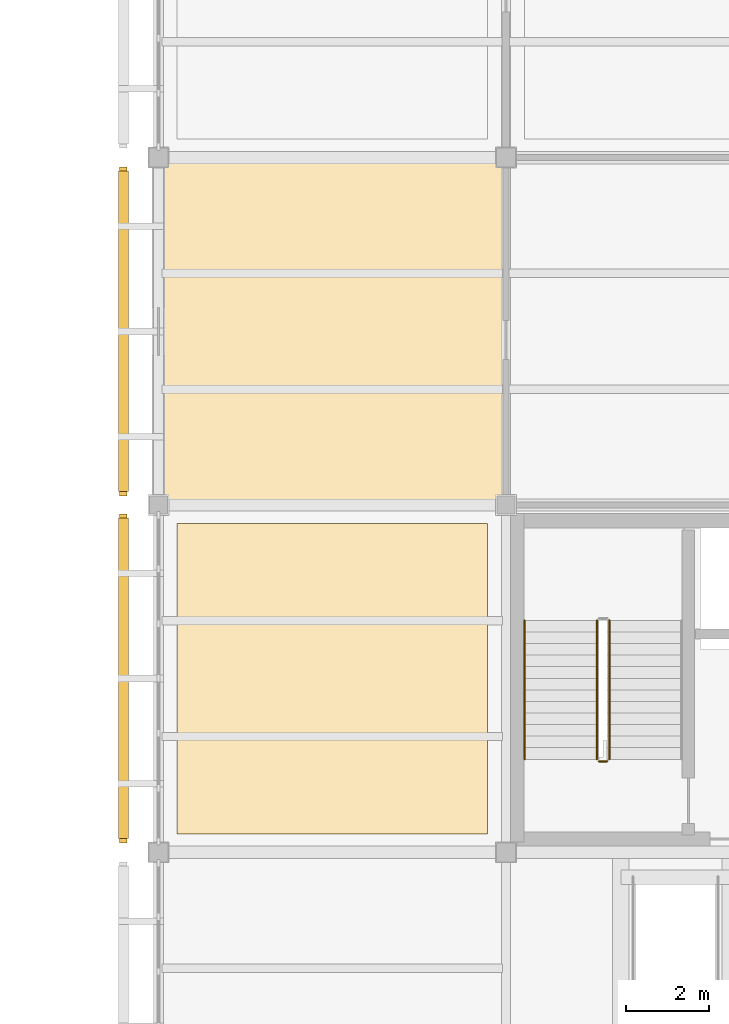
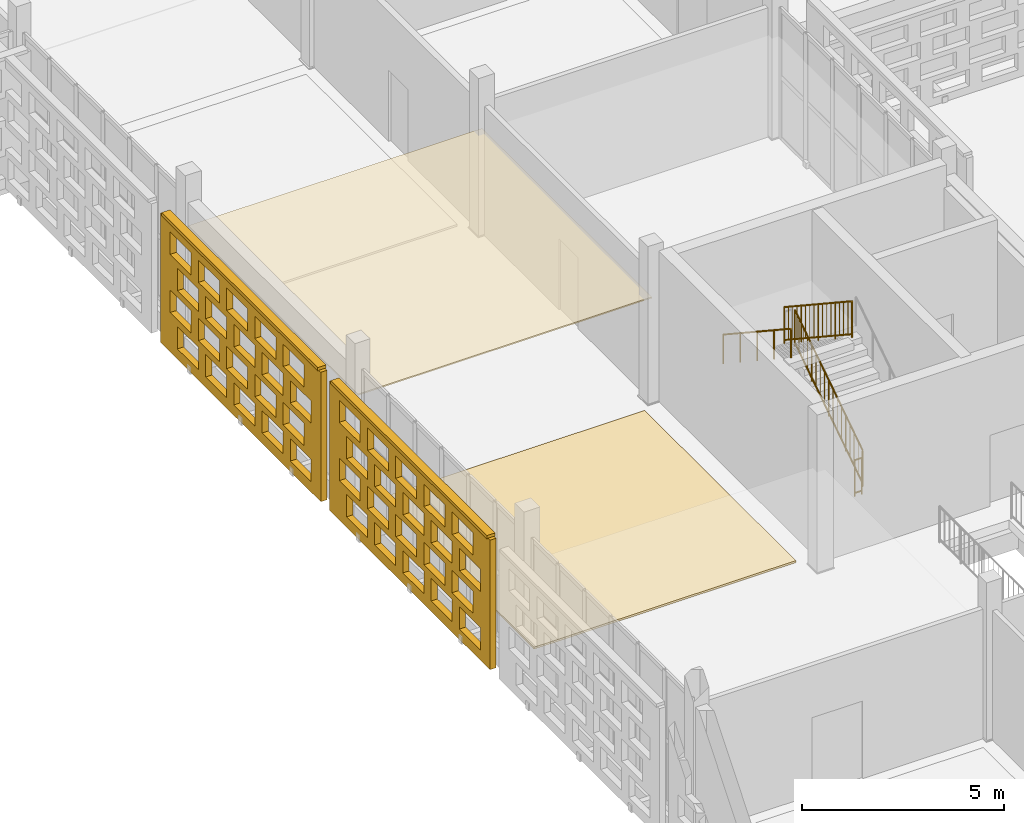
# One storey, part 136 of 203: 4 coverings, 4 railings, 2 shading devices, 40 openings.
"""IFC4 building model written with IfcOpenShell, lengths in metres."""

from ifc_helpers import new_model, si_unit, direction, frame, frame_2d, origin, origin_2d, place, context, subcontext, project, spatial, rectangle, circle, extrude, material, layer, layer_set, type_object, element, save


model = new_model("IFC4")

# Units and contexts
model_context = context("Model", 3, precision=1e-05, world=origin(), true_north=direction((0.0, 1.0)))
body_context = subcontext(model_context, "Body", "Model", "MODEL_VIEW")
ifc_project = project(units=[si_unit("LENGTHUNIT", "METRE"), si_unit("AREAUNIT", "SQUARE_METRE"), si_unit("VOLUMEUNIT", "CUBIC_METRE"), si_unit("PLANEANGLEUNIT", "RADIAN"), si_unit("MASSUNIT", "GRAM", prefix="KILO")], contexts=[model_context])

# Site, building, storey
site_placement = place(None, origin())
site = spatial("IfcSite", under=ifc_project, at=site_placement, CompositionType="ELEMENT")
building_placement = place(site_placement, origin())
building = spatial("IfcBuilding", under=site, at=building_placement, Name="Varnapada Polytechnic", CompositionType="ELEMENT")
storey_placement = place(building_placement, frame((0.0, 0.0, 4.800048828125)))
storey = spatial("IfcBuildingStorey", under=building, at=storey_placement, Name="L01", CompositionType="ELEMENT", Elevation=4.800048828125)

# Covering
ifc_material_1 = material(Name="Anti-Static Raised Laboratory Flooring")
ifc_layer_1 = layer(ifc_material_1, 0.06005859375)
ifc_layer_set_1 = layer_set([ifc_layer_1], Name="Anti-Static Raised Laboratory Flooring")
covering_type_1 = type_object("IfcCoveringType", Name="Floor Finish FLR-02", PredefinedType="FLOORING", material=ifc_layer_set_1)
covering_1_placement = place(storey_placement, frame((12.60009765625, 21.0, 0.0), z_axis=(0.0, 0.0, 1.0), x_axis=(1.0, 0.0, 0.0)))
element("IfcCovering", 1, at=covering_1_placement, inside=storey, type_object=covering_type_1, Name="L01 floor finish panel (2,3)", PredefinedType="FLOORING", context=body_context, shape_type="SweptSolid", body=[
    extrude(rectangle(XDim=7.5, YDim=7.5, at=origin_2d()), origin(), (0.0, 0.0, 1.0), 0.06005859375),
])

# Railings
ifc_material_2 = material(Name="Brushed Stainless Steel 316", Category="steel")
railing_type_1 = type_object("IfcRailingType", Name="Stair Wall Handrail SHR-01", PredefinedType="HANDRAIL", material=ifc_material_2)
railing_1_placement = place(storey_placement, frame((17.25, 22.409912109375, 2.58447265625)))
element("IfcRailing", 2, at=railing_1_placement, inside=storey, type_object=railing_type_1, Name="L01 ST-3 stair handrail 2", PredefinedType="HANDRAIL", context=body_context, shape_type="SweptSolid", body=[
    extrude(circle(Radius=0.02392578125, at=origin_2d()), frame((0.0, 0.0, 0.8759765625), z_axis=(0.0, -0.83483021737, 0.550507500554), x_axis=(1.0, 0.0, 0.0)), (0.0, 0.0, 1.0), 4.024658203125),
    extrude(circle(Radius=0.02099609375, at=origin_2d()), origin(), (0.0, 0.0, 1.0), 0.851806640625),
    extrude(circle(Radius=0.02099609375, at=origin_2d()), frame((0.0, -0.83984375, 0.553955078125)), (0.0, 0.0, 1.0), 0.851806640625),
    extrude(circle(Radius=0.02099609375, at=origin_2d()), frame((0.0, -1.679931640625, 1.10791015625)), (0.0, 0.0, 1.0), 0.851806640625),
    extrude(circle(Radius=0.02099609375, at=origin_2d()), frame((0.0, -2.52001953125, 1.66162109375)), (0.0, 0.0, 1.0), 0.851806640625),
    extrude(circle(Radius=0.02099609375, at=origin_2d()), frame((0.0, -3.35986328125, 2.215576171875)), (0.0, 0.0, 1.0), 0.851806640625),
])
railing_type_2 = type_object("IfcRailingType", Name="Stair Well Guard Rail SGR-01", PredefinedType="BALUSTRADE", material=ifc_material_2)
railing_2_placement = place(storey_placement, frame((19.300048828125, 19.050048828125, 0.1845703125)))
element("IfcRailing", 3, at=railing_2_placement, inside=storey, type_object=railing_type_2, Name="L01 ST-3 stair guard 1", PredefinedType="BALUSTRADE", context=body_context, shape_type="SweptSolid", body=[
    extrude(circle(Radius=0.02392578125, at=origin_2d()), frame((0.0, 0.0, 1.09619140625), z_axis=(0.0, 0.834858096282, 0.550465220583), x_axis=(-1.0, 0.0, 0.0)), (0.0, 0.0, 1.0), 4.0244140625),
    extrude(circle(Radius=0.02392578125, at=origin_2d()), frame((0.0, 0.0, 0.10009765625), z_axis=(0.0, 0.834858096282, 0.550465220583), x_axis=(-1.0, 0.0, 0.0)), (0.0, 0.0, 1.0), 4.0244140625),
    extrude(circle(Radius=0.02099609375, at=origin_2d()), origin(), (0.0, 0.0, 1.0), 1.072021484375),
    extrude(circle(Radius=0.02099609375, at=origin_2d()), frame((0.0, 0.83984375, 0.5537109375)), (0.0, 0.0, 1.0), 1.072021484375),
    extrude(circle(Radius=0.02099609375, at=origin_2d()), frame((0.0, 1.679931640625, 1.107666015625)), (0.0, 0.0, 1.0), 1.072021484375),
    extrude(circle(Radius=0.02099609375, at=origin_2d()), frame((0.0, 2.52001953125, 1.66162109375)), (0.0, 0.0, 1.0), 1.072021484375),
    extrude(circle(Radius=0.02099609375, at=origin_2d()), frame((0.0, 3.35986328125, 2.21533203125)), (0.0, 0.0, 1.0), 1.072021484375),
    extrude(circle(Radius=0.010009765625, at=origin_2d()), frame((0.0, 0.2099609375, 0.238525390625)), (0.0, 0.0, 1.0), 0.971923828125),
    extrude(circle(Radius=0.010009765625, at=origin_2d()), frame((0.0, 0.419921875, 0.376953125)), (0.0, 0.0, 1.0), 0.971923828125),
    extrude(circle(Radius=0.010009765625, at=origin_2d()), frame((0.0, 0.6298828125, 0.515380859375)), (0.0, 0.0, 1.0), 0.971923828125),
    extrude(circle(Radius=0.010009765625, at=origin_2d()), frame((0.0, 0.83984375, 0.65380859375)), (0.0, 0.0, 1.0), 0.971923828125),
    extrude(circle(Radius=0.010009765625, at=origin_2d()), frame((0.0, 1.050048828125, 0.79248046875)), (0.0, 0.0, 1.0), 0.971923828125),
    extrude(circle(Radius=0.010009765625, at=origin_2d()), frame((0.0, 1.260009765625, 0.930908203125)), (0.0, 0.0, 1.0), 0.971923828125),
    extrude(circle(Radius=0.010009765625, at=origin_2d()), frame((0.0, 1.469970703125, 1.0693359375)), (0.0, 0.0, 1.0), 0.971923828125),
    extrude(circle(Radius=0.010009765625, at=origin_2d()), frame((0.0, 1.679931640625, 1.207763671875)), (0.0, 0.0, 1.0), 0.971923828125),
    extrude(circle(Radius=0.010009765625, at=origin_2d()), frame((0.0, 1.889892578125, 1.34619140625)), (0.0, 0.0, 1.0), 0.971923828125),
    extrude(circle(Radius=0.010009765625, at=origin_2d()), frame((0.0, 2.099853515625, 1.484619140625)), (0.0, 0.0, 1.0), 0.971923828125),
    extrude(circle(Radius=0.010009765625, at=origin_2d()), frame((0.0, 2.309814453125, 1.623046875)), (0.0, 0.0, 1.0), 0.971923828125),
    extrude(circle(Radius=0.010009765625, at=origin_2d()), frame((0.0, 2.52001953125, 1.76171875)), (0.0, 0.0, 1.0), 0.971923828125),
    extrude(circle(Radius=0.010009765625, at=origin_2d()), frame((0.0, 2.72998046875, 1.900146484375)), (0.0, 0.0, 1.0), 0.971923828125),
    extrude(circle(Radius=0.010009765625, at=origin_2d()), frame((0.0, 2.93994140625, 2.03857421875)), (0.0, 0.0, 1.0), 0.971923828125),
    extrude(circle(Radius=0.010009765625, at=origin_2d()), frame((0.0, 3.14990234375, 2.177001953125)), (0.0, 0.0, 1.0), 0.971923828125),
])
railing_3_placement = place(storey_placement, frame((19.0, 22.409912109375, 2.58447265625)))
element("IfcRailing", 4, at=railing_3_placement, inside=storey, type_object=railing_type_2, Name="L01 ST-3 stair guard 3", PredefinedType="BALUSTRADE", context=body_context, shape_type="SweptSolid", body=[
    extrude(circle(Radius=0.02392578125, at=origin_2d()), frame((0.0, 0.0, 1.09619140625), z_axis=(0.0, -0.83483021737, 0.550507500554), x_axis=(1.0, 0.0, 0.0)), (0.0, 0.0, 1.0), 4.024658203125),
    extrude(circle(Radius=0.02392578125, at=origin_2d()), frame((0.0, 0.0, 0.10009765625), z_axis=(0.0, -0.83483021737, 0.550507500554), x_axis=(1.0, 0.0, 0.0)), (0.0, 0.0, 1.0), 4.024658203125),
    extrude(circle(Radius=0.02099609375, at=origin_2d()), origin(), (0.0, 0.0, 1.0), 1.072021484375),
    extrude(circle(Radius=0.02099609375, at=origin_2d()), frame((0.0, -0.83984375, 0.553955078125)), (0.0, 0.0, 1.0), 1.072021484375),
    extrude(circle(Radius=0.02099609375, at=origin_2d()), frame((0.0, -1.679931640625, 1.10791015625)), (0.0, 0.0, 1.0), 1.072021484375),
    extrude(circle(Radius=0.02099609375, at=origin_2d()), frame((0.0, -2.52001953125, 1.66162109375)), (0.0, 0.0, 1.0), 1.072021484375),
    extrude(circle(Radius=0.02099609375, at=origin_2d()), frame((0.0, -3.35986328125, 2.215576171875)), (0.0, 0.0, 1.0), 1.072021484375),
    extrude(circle(Radius=0.010009765625, at=origin_2d()), frame((0.0, -0.2099609375, 0.238525390625)), (0.0, 0.0, 1.0), 0.971923828125),
    extrude(circle(Radius=0.010009765625, at=origin_2d()), frame((0.0, -0.419921875, 0.376953125)), (0.0, 0.0, 1.0), 0.971923828125),
    extrude(circle(Radius=0.010009765625, at=origin_2d()), frame((0.0, -0.6298828125, 0.515625)), (0.0, 0.0, 1.0), 0.971923828125),
    extrude(circle(Radius=0.010009765625, at=origin_2d()), frame((0.0, -0.83984375, 0.654052734375)), (0.0, 0.0, 1.0), 0.971923828125),
    extrude(circle(Radius=0.010009765625, at=origin_2d()), frame((0.0, -1.050048828125, 0.79248046875)), (0.0, 0.0, 1.0), 0.971923828125),
    extrude(circle(Radius=0.010009765625, at=origin_2d()), frame((0.0, -1.260009765625, 0.930908203125)), (0.0, 0.0, 1.0), 0.971923828125),
    extrude(circle(Radius=0.010009765625, at=origin_2d()), frame((0.0, -1.469970703125, 1.0693359375)), (0.0, 0.0, 1.0), 0.971923828125),
    extrude(circle(Radius=0.010009765625, at=origin_2d()), frame((0.0, -1.679931640625, 1.2080078125)), (0.0, 0.0, 1.0), 0.971923828125),
    extrude(circle(Radius=0.010009765625, at=origin_2d()), frame((0.0, -1.889892578125, 1.346435546875)), (0.0, 0.0, 1.0), 0.971923828125),
    extrude(circle(Radius=0.010009765625, at=origin_2d()), frame((0.0, -2.099853515625, 1.48486328125)), (0.0, 0.0, 1.0), 0.971923828125),
    extrude(circle(Radius=0.010009765625, at=origin_2d()), frame((0.0, -2.309814453125, 1.623291015625)), (0.0, 0.0, 1.0), 0.971923828125),
    extrude(circle(Radius=0.010009765625, at=origin_2d()), frame((0.0, -2.52001953125, 1.76171875)), (0.0, 0.0, 1.0), 0.971923828125),
    extrude(circle(Radius=0.010009765625, at=origin_2d()), frame((0.0, -2.72998046875, 1.900146484375)), (0.0, 0.0, 1.0), 0.971923828125),
    extrude(circle(Radius=0.010009765625, at=origin_2d()), frame((0.0, -2.93994140625, 2.038818359375)), (0.0, 0.0, 1.0), 0.971923828125),
    extrude(circle(Radius=0.010009765625, at=origin_2d()), frame((0.0, -3.14990234375, 2.17724609375)), (0.0, 0.0, 1.0), 0.971923828125),
])
railing_4_placement = place(storey_placement, frame((19.25, 19.0, 0.0)))
element("IfcRailing", 5, at=railing_4_placement, inside=storey, type_object=railing_type_2, Name="L01 ST-3 stair guard 4", PredefinedType="BALUSTRADE", context=body_context, shape_type="SweptSolid", body=[
    extrude(circle(Radius=0.02392578125, at=origin_2d()), frame((0.0, 0.0, 1.09619140625), z_axis=(-1.0, 0.0, 0.0), x_axis=(0.0, -1.0, 0.0)), (0.0, 0.0, 1.0), 0.199951171875),
    extrude(circle(Radius=0.02392578125, at=origin_2d()), frame((0.0, 0.0, 0.10009765625), z_axis=(-1.0, 0.0, 0.0), x_axis=(0.0, -1.0, 0.0)), (0.0, 0.0, 1.0), 0.199951171875),
    extrude(circle(Radius=0.02099609375, at=origin_2d()), origin(), (0.0, 0.0, 1.0), 1.072021484375),
    extrude(circle(Radius=0.02099609375, at=origin_2d()), frame((-0.199951171875, 0.0, 0.0)), (0.0, 0.0, 1.0), 1.072021484375),
])

# Covering
ifc_material_3 = material(Name="Mineral Fibre Acoustic Ceiling Tile")
ifc_layer_2 = layer(ifc_material_3, 0.0400390625)
ifc_layer_set_2 = layer_set([ifc_layer_2], Name="Mineral Fibre Acoustic Ceiling Tile")
covering_type_2 = type_object("IfcCoveringType", Name="Suspended Ceiling CLG-01", PredefinedType="CEILING", material=ifc_layer_set_2)
covering_2_placement = place(storey_placement, frame((12.60009765625, 29.39990234375, 3.030029296875), z_axis=(0.0, 0.0, 1.0), x_axis=(1.0, 0.0, 0.0)))
element("IfcCovering", 6, at=covering_2_placement, inside=storey, type_object=covering_type_2, Name="L01 suspended acoustic ceiling (2,4)", PredefinedType="CEILING", context=body_context, shape_type="SweptSolid", body=[
    extrude(rectangle(XDim=8.419921875, YDim=8.419921875, at=origin_2d()), origin(), (0.0, 0.0, 1.0), 0.0400390625),
])

# Covering, openings
ifc_material_4 = material(Name="Earth-toned architectural terracotta screen block", Category="masonry")
ifc_layer_3 = layer(ifc_material_4, 0.1201171875)
ifc_layer_set_3 = layer_set([ifc_layer_3], Name="Earth-toned architectural terracotta screen block")
covering_type_3 = type_object("IfcCoveringType", Name="Terracotta Screen Cladding CLD-01", PredefinedType="CLADDING", material=ifc_layer_set_3)
covering_3_placement = place(storey_placement, frame((7.550048828125, 17.030029296875, 0.0), z_axis=(0.0, 0.0, 1.0), x_axis=(0.0, 1.0, 0.0)))
covering_3 = element("IfcCovering", 7, at=covering_3_placement, inside=storey, type_object=covering_type_3, Name="L01 perforated terracotta block screen (16)", PredefinedType="CLADDING", context=body_context, shape_type="SweptSolid", body=[
    extrude(rectangle(XDim=7.949951171875, YDim=0.179931640625, at=frame_2d((3.97509765625, 0.0))), origin(), (0.0, 0.0, 1.0), 3.919921875),
])
opening_1_placement = place(covering_3_placement, frame((0.47509765625, 0.0, 0.313720703125)))
element("IfcOpeningElement", 8, at=opening_1_placement, cuts=covering_3, Name="Screen perforation TBS-L01-015.1", PredefinedType="OPENING", context=body_context, shape_type="SweptSolid", body=[
    extrude(rectangle(XDim=1.0400390625, YDim=0.679931640625, at=frame_2d((0.52001953125, 0.33984375))), frame((0.0, 0.099853515625, 0.0), z_axis=(0.0, -1.0, 0.0), x_axis=(1.0, 0.0, 0.0)), (0.0, 0.0, 1.0), 0.199951171875),
])
opening_2_placement = place(covering_3_placement, frame((1.875, 0.0, 0.313720703125)))
element("IfcOpeningElement", 9, at=opening_2_placement, cuts=covering_3, Name="Screen perforation TBS-L01-015.2", PredefinedType="OPENING", context=body_context, shape_type="SweptSolid", body=[
    extrude(rectangle(XDim=1.0400390625, YDim=0.679931640625, at=frame_2d((0.52001953125, 0.33984375))), frame((0.0, 0.099853515625, 0.0), z_axis=(0.0, -1.0, 0.0), x_axis=(1.0, 0.0, 0.0)), (0.0, 0.0, 1.0), 0.199951171875),
])
opening_3_placement = place(covering_3_placement, frame((3.27490234375, 0.0, 0.313720703125)))
element("IfcOpeningElement", 10, at=opening_3_placement, cuts=covering_3, Name="Screen perforation TBS-L01-015.3", PredefinedType="OPENING", context=body_context, shape_type="SweptSolid", body=[
    extrude(rectangle(XDim=1.0400390625, YDim=0.679931640625, at=frame_2d((0.52001953125, 0.33984375))), frame((0.0, 0.099853515625, 0.0), z_axis=(0.0, -1.0, 0.0), x_axis=(1.0, 0.0, 0.0)), (0.0, 0.0, 1.0), 0.199951171875),
])
opening_4_placement = place(covering_3_placement, frame((4.675048828125, 0.0, 0.313720703125)))
element("IfcOpeningElement", 11, at=opening_4_placement, cuts=covering_3, Name="Screen perforation TBS-L01-015.4", PredefinedType="OPENING", context=body_context, shape_type="SweptSolid", body=[
    extrude(rectangle(XDim=1.0400390625, YDim=0.679931640625, at=frame_2d((0.52001953125, 0.33984375))), frame((0.0, 0.099853515625, 0.0), z_axis=(0.0, -1.0, 0.0), x_axis=(1.0, 0.0, 0.0)), (0.0, 0.0, 1.0), 0.199951171875),
])
opening_5_placement = place(covering_3_placement, frame((6.074951171875, 0.0, 0.313720703125)))
element("IfcOpeningElement", 12, at=opening_5_placement, cuts=covering_3, Name="Screen perforation TBS-L01-015.5", PredefinedType="OPENING", context=body_context, shape_type="SweptSolid", body=[
    extrude(rectangle(XDim=1.0400390625, YDim=0.679931640625, at=frame_2d((0.52001953125, 0.33984375))), frame((0.0, 0.099853515625, 0.0), z_axis=(0.0, -1.0, 0.0), x_axis=(1.0, 0.0, 0.0)), (0.0, 0.0, 1.0), 0.199951171875),
])
opening_6_placement = place(covering_3_placement, frame((0.8349609375, 0.0, 1.195556640625)))
element("IfcOpeningElement", 13, at=opening_6_placement, cuts=covering_3, Name="Screen perforation TBS-L01-015.6", PredefinedType="OPENING", context=body_context, shape_type="SweptSolid", body=[
    extrude(rectangle(XDim=1.0400390625, YDim=0.679931640625, at=frame_2d((0.52001953125, 0.33984375))), frame((0.0, 0.099853515625, 0.0), z_axis=(0.0, -1.0, 0.0), x_axis=(1.0, 0.0, 0.0)), (0.0, 0.0, 1.0), 0.199951171875),
])
opening_7_placement = place(covering_3_placement, frame((2.235107421875, 0.0, 1.195556640625)))
element("IfcOpeningElement", 14, at=opening_7_placement, cuts=covering_3, Name="Screen perforation TBS-L01-015.7", PredefinedType="OPENING", context=body_context, shape_type="SweptSolid", body=[
    extrude(rectangle(XDim=1.0400390625, YDim=0.679931640625, at=frame_2d((0.52001953125, 0.33984375))), frame((0.0, 0.099853515625, 0.0), z_axis=(0.0, -1.0, 0.0), x_axis=(1.0, 0.0, 0.0)), (0.0, 0.0, 1.0), 0.199951171875),
])
opening_8_placement = place(covering_3_placement, frame((3.635009765625, 0.0, 1.195556640625)))
element("IfcOpeningElement", 15, at=opening_8_placement, cuts=covering_3, Name="Screen perforation TBS-L01-015.8", PredefinedType="OPENING", context=body_context, shape_type="SweptSolid", body=[
    extrude(rectangle(XDim=1.0400390625, YDim=0.679931640625, at=frame_2d((0.52001953125, 0.33984375))), frame((0.0, 0.099853515625, 0.0), z_axis=(0.0, -1.0, 0.0), x_axis=(1.0, 0.0, 0.0)), (0.0, 0.0, 1.0), 0.199951171875),
])
opening_9_placement = place(covering_3_placement, frame((5.034912109375, 0.0, 1.195556640625)))
element("IfcOpeningElement", 16, at=opening_9_placement, cuts=covering_3, Name="Screen perforation TBS-L01-015.9", PredefinedType="OPENING", context=body_context, shape_type="SweptSolid", body=[
    extrude(rectangle(XDim=1.0400390625, YDim=0.679931640625, at=frame_2d((0.52001953125, 0.33984375))), frame((0.0, 0.099853515625, 0.0), z_axis=(0.0, -1.0, 0.0), x_axis=(1.0, 0.0, 0.0)), (0.0, 0.0, 1.0), 0.199951171875),
])
opening_10_placement = place(covering_3_placement, frame((6.43505859375, 0.0, 1.195556640625)))
element("IfcOpeningElement", 17, at=opening_10_placement, cuts=covering_3, Name="Screen perforation TBS-L01-015.10", PredefinedType="OPENING", context=body_context, shape_type="SweptSolid", body=[
    extrude(rectangle(XDim=1.0400390625, YDim=0.679931640625, at=frame_2d((0.52001953125, 0.33984375))), frame((0.0, 0.099853515625, 0.0), z_axis=(0.0, -1.0, 0.0), x_axis=(1.0, 0.0, 0.0)), (0.0, 0.0, 1.0), 0.199951171875),
])
opening_11_placement = place(covering_3_placement, frame((0.47509765625, 0.0, 2.07763671875)))
element("IfcOpeningElement", 18, at=opening_11_placement, cuts=covering_3, Name="Screen perforation TBS-L01-015.11", PredefinedType="OPENING", context=body_context, shape_type="SweptSolid", body=[
    extrude(rectangle(XDim=1.0400390625, YDim=0.679931640625, at=frame_2d((0.52001953125, 0.33984375))), frame((0.0, 0.099853515625, 0.0), z_axis=(0.0, -1.0, 0.0), x_axis=(1.0, 0.0, 0.0)), (0.0, 0.0, 1.0), 0.199951171875),
])
opening_12_placement = place(covering_3_placement, frame((1.875, 0.0, 2.07763671875)))
element("IfcOpeningElement", 19, at=opening_12_placement, cuts=covering_3, Name="Screen perforation TBS-L01-015.12", PredefinedType="OPENING", context=body_context, shape_type="SweptSolid", body=[
    extrude(rectangle(XDim=1.0400390625, YDim=0.679931640625, at=frame_2d((0.52001953125, 0.33984375))), frame((0.0, 0.099853515625, 0.0), z_axis=(0.0, -1.0, 0.0), x_axis=(1.0, 0.0, 0.0)), (0.0, 0.0, 1.0), 0.199951171875),
])
opening_13_placement = place(covering_3_placement, frame((3.27490234375, 0.0, 2.07763671875)))
element("IfcOpeningElement", 20, at=opening_13_placement, cuts=covering_3, Name="Screen perforation TBS-L01-015.13", PredefinedType="OPENING", context=body_context, shape_type="SweptSolid", body=[
    extrude(rectangle(XDim=1.0400390625, YDim=0.679931640625, at=frame_2d((0.52001953125, 0.33984375))), frame((0.0, 0.099853515625, 0.0), z_axis=(0.0, -1.0, 0.0), x_axis=(1.0, 0.0, 0.0)), (0.0, 0.0, 1.0), 0.199951171875),
])
opening_14_placement = place(covering_3_placement, frame((4.675048828125, 0.0, 2.07763671875)))
element("IfcOpeningElement", 21, at=opening_14_placement, cuts=covering_3, Name="Screen perforation TBS-L01-015.14", PredefinedType="OPENING", context=body_context, shape_type="SweptSolid", body=[
    extrude(rectangle(XDim=1.0400390625, YDim=0.679931640625, at=frame_2d((0.52001953125, 0.33984375))), frame((0.0, 0.099853515625, 0.0), z_axis=(0.0, -1.0, 0.0), x_axis=(1.0, 0.0, 0.0)), (0.0, 0.0, 1.0), 0.199951171875),
])
opening_15_placement = place(covering_3_placement, frame((6.074951171875, 0.0, 2.07763671875)))
element("IfcOpeningElement", 22, at=opening_15_placement, cuts=covering_3, Name="Screen perforation TBS-L01-015.15", PredefinedType="OPENING", context=body_context, shape_type="SweptSolid", body=[
    extrude(rectangle(XDim=1.0400390625, YDim=0.679931640625, at=frame_2d((0.52001953125, 0.33984375))), frame((0.0, 0.099853515625, 0.0), z_axis=(0.0, -1.0, 0.0), x_axis=(1.0, 0.0, 0.0)), (0.0, 0.0, 1.0), 0.199951171875),
])
opening_16_placement = place(covering_3_placement, frame((0.8349609375, 0.0, 2.959716796875)))
element("IfcOpeningElement", 23, at=opening_16_placement, cuts=covering_3, Name="Screen perforation TBS-L01-015.16", PredefinedType="OPENING", context=body_context, shape_type="SweptSolid", body=[
    extrude(rectangle(XDim=1.0400390625, YDim=0.679931640625, at=frame_2d((0.52001953125, 0.33984375))), frame((0.0, 0.099853515625, 0.0), z_axis=(0.0, -1.0, 0.0), x_axis=(1.0, 0.0, 0.0)), (0.0, 0.0, 1.0), 0.199951171875),
])
opening_17_placement = place(covering_3_placement, frame((2.235107421875, 0.0, 2.959716796875)))
element("IfcOpeningElement", 24, at=opening_17_placement, cuts=covering_3, Name="Screen perforation TBS-L01-015.17", PredefinedType="OPENING", context=body_context, shape_type="SweptSolid", body=[
    extrude(rectangle(XDim=1.0400390625, YDim=0.679931640625, at=frame_2d((0.52001953125, 0.33984375))), frame((0.0, 0.099853515625, 0.0), z_axis=(0.0, -1.0, 0.0), x_axis=(1.0, 0.0, 0.0)), (0.0, 0.0, 1.0), 0.199951171875),
])
opening_18_placement = place(covering_3_placement, frame((3.635009765625, 0.0, 2.959716796875)))
element("IfcOpeningElement", 25, at=opening_18_placement, cuts=covering_3, Name="Screen perforation TBS-L01-015.18", PredefinedType="OPENING", context=body_context, shape_type="SweptSolid", body=[
    extrude(rectangle(XDim=1.0400390625, YDim=0.679931640625, at=frame_2d((0.52001953125, 0.33984375))), frame((0.0, 0.099853515625, 0.0), z_axis=(0.0, -1.0, 0.0), x_axis=(1.0, 0.0, 0.0)), (0.0, 0.0, 1.0), 0.199951171875),
])
opening_19_placement = place(covering_3_placement, frame((5.034912109375, 0.0, 2.959716796875)))
element("IfcOpeningElement", 26, at=opening_19_placement, cuts=covering_3, Name="Screen perforation TBS-L01-015.19", PredefinedType="OPENING", context=body_context, shape_type="SweptSolid", body=[
    extrude(rectangle(XDim=1.0400390625, YDim=0.679931640625, at=frame_2d((0.52001953125, 0.33984375))), frame((0.0, 0.099853515625, 0.0), z_axis=(0.0, -1.0, 0.0), x_axis=(1.0, 0.0, 0.0)), (0.0, 0.0, 1.0), 0.199951171875),
])
opening_20_placement = place(covering_3_placement, frame((6.43505859375, 0.0, 2.959716796875)))
element("IfcOpeningElement", 27, at=opening_20_placement, cuts=covering_3, Name="Screen perforation TBS-L01-015.20", PredefinedType="OPENING", context=body_context, shape_type="SweptSolid", body=[
    extrude(rectangle(XDim=1.0400390625, YDim=0.679931640625, at=frame_2d((0.52001953125, 0.33984375))), frame((0.0, 0.099853515625, 0.0), z_axis=(0.0, -1.0, 0.0), x_axis=(1.0, 0.0, 0.0)), (0.0, 0.0, 1.0), 0.199951171875),
])

covering_4_placement = place(storey_placement, frame((7.550048828125, 25.419921875, 0.0), z_axis=(0.0, 0.0, 1.0), x_axis=(0.0, 1.0, 0.0)))
covering_4 = element("IfcCovering", 28, at=covering_4_placement, inside=storey, type_object=covering_type_3, Name="L01 perforated terracotta block screen (17)", PredefinedType="CLADDING", context=body_context, shape_type="SweptSolid", body=[
    extrude(rectangle(XDim=7.9501953125, YDim=0.179931640625, at=frame_2d((3.97509765625, 0.0))), origin(), (0.0, 0.0, 1.0), 3.919921875),
])
opening_21_placement = place(covering_4_placement, frame((0.47509765625, 0.0, 0.313720703125)))
element("IfcOpeningElement", 29, at=opening_21_placement, cuts=covering_4, Name="Screen perforation TBS-L01-016.1", PredefinedType="OPENING", context=body_context, shape_type="SweptSolid", body=[
    extrude(rectangle(XDim=1.0400390625, YDim=0.679931640625, at=frame_2d((0.52001953125, 0.33984375))), frame((0.0, 0.099853515625, 0.0), z_axis=(0.0, -1.0, 0.0), x_axis=(1.0, 0.0, 0.0)), (0.0, 0.0, 1.0), 0.199951171875),
])
opening_22_placement = place(covering_4_placement, frame((1.875, 0.0, 0.313720703125)))
element("IfcOpeningElement", 30, at=opening_22_placement, cuts=covering_4, Name="Screen perforation TBS-L01-016.2", PredefinedType="OPENING", context=body_context, shape_type="SweptSolid", body=[
    extrude(rectangle(XDim=1.0400390625, YDim=0.679931640625, at=frame_2d((0.52001953125, 0.33984375))), frame((0.0, 0.099853515625, 0.0), z_axis=(0.0, -1.0, 0.0), x_axis=(1.0, 0.0, 0.0)), (0.0, 0.0, 1.0), 0.199951171875),
])
opening_23_placement = place(covering_4_placement, frame((3.27490234375, 0.0, 0.313720703125)))
element("IfcOpeningElement", 31, at=opening_23_placement, cuts=covering_4, Name="Screen perforation TBS-L01-016.3", PredefinedType="OPENING", context=body_context, shape_type="SweptSolid", body=[
    extrude(rectangle(XDim=1.0400390625, YDim=0.679931640625, at=frame_2d((0.52001953125, 0.33984375))), frame((0.0, 0.099853515625, 0.0), z_axis=(0.0, -1.0, 0.0), x_axis=(1.0, 0.0, 0.0)), (0.0, 0.0, 1.0), 0.199951171875),
])
opening_24_placement = place(covering_4_placement, frame((4.675048828125, 0.0, 0.313720703125)))
element("IfcOpeningElement", 32, at=opening_24_placement, cuts=covering_4, Name="Screen perforation TBS-L01-016.4", PredefinedType="OPENING", context=body_context, shape_type="SweptSolid", body=[
    extrude(rectangle(XDim=1.0400390625, YDim=0.679931640625, at=frame_2d((0.52001953125, 0.33984375))), frame((0.0, 0.099853515625, 0.0), z_axis=(0.0, -1.0, 0.0), x_axis=(1.0, 0.0, 0.0)), (0.0, 0.0, 1.0), 0.199951171875),
])
opening_25_placement = place(covering_4_placement, frame((6.074951171875, 0.0, 0.313720703125)))
element("IfcOpeningElement", 33, at=opening_25_placement, cuts=covering_4, Name="Screen perforation TBS-L01-016.5", PredefinedType="OPENING", context=body_context, shape_type="SweptSolid", body=[
    extrude(rectangle(XDim=1.0400390625, YDim=0.679931640625, at=frame_2d((0.52001953125, 0.33984375))), frame((0.0, 0.099853515625, 0.0), z_axis=(0.0, -1.0, 0.0), x_axis=(1.0, 0.0, 0.0)), (0.0, 0.0, 1.0), 0.199951171875),
])
opening_26_placement = place(covering_4_placement, frame((0.8349609375, 0.0, 1.195556640625)))
element("IfcOpeningElement", 34, at=opening_26_placement, cuts=covering_4, Name="Screen perforation TBS-L01-016.6", PredefinedType="OPENING", context=body_context, shape_type="SweptSolid", body=[
    extrude(rectangle(XDim=1.0400390625, YDim=0.679931640625, at=frame_2d((0.52001953125, 0.33984375))), frame((0.0, 0.099853515625, 0.0), z_axis=(0.0, -1.0, 0.0), x_axis=(1.0, 0.0, 0.0)), (0.0, 0.0, 1.0), 0.199951171875),
])
opening_27_placement = place(covering_4_placement, frame((2.235107421875, 0.0, 1.195556640625)))
element("IfcOpeningElement", 35, at=opening_27_placement, cuts=covering_4, Name="Screen perforation TBS-L01-016.7", PredefinedType="OPENING", context=body_context, shape_type="SweptSolid", body=[
    extrude(rectangle(XDim=1.0400390625, YDim=0.679931640625, at=frame_2d((0.52001953125, 0.33984375))), frame((0.0, 0.099853515625, 0.0), z_axis=(0.0, -1.0, 0.0), x_axis=(1.0, 0.0, 0.0)), (0.0, 0.0, 1.0), 0.199951171875),
])
opening_28_placement = place(covering_4_placement, frame((3.635009765625, 0.0, 1.195556640625)))
element("IfcOpeningElement", 36, at=opening_28_placement, cuts=covering_4, Name="Screen perforation TBS-L01-016.8", PredefinedType="OPENING", context=body_context, shape_type="SweptSolid", body=[
    extrude(rectangle(XDim=1.0400390625, YDim=0.679931640625, at=frame_2d((0.52001953125, 0.33984375))), frame((0.0, 0.099853515625, 0.0), z_axis=(0.0, -1.0, 0.0), x_axis=(1.0, 0.0, 0.0)), (0.0, 0.0, 1.0), 0.199951171875),
])
opening_29_placement = place(covering_4_placement, frame((5.034912109375, 0.0, 1.195556640625)))
element("IfcOpeningElement", 37, at=opening_29_placement, cuts=covering_4, Name="Screen perforation TBS-L01-016.9", PredefinedType="OPENING", context=body_context, shape_type="SweptSolid", body=[
    extrude(rectangle(XDim=1.0400390625, YDim=0.679931640625, at=frame_2d((0.52001953125, 0.33984375))), frame((0.0, 0.099853515625, 0.0), z_axis=(0.0, -1.0, 0.0), x_axis=(1.0, 0.0, 0.0)), (0.0, 0.0, 1.0), 0.199951171875),
])
opening_30_placement = place(covering_4_placement, frame((6.43505859375, 0.0, 1.195556640625)))
element("IfcOpeningElement", 38, at=opening_30_placement, cuts=covering_4, Name="Screen perforation TBS-L01-016.10", PredefinedType="OPENING", context=body_context, shape_type="SweptSolid", body=[
    extrude(rectangle(XDim=1.0400390625, YDim=0.679931640625, at=frame_2d((0.52001953125, 0.33984375))), frame((0.0, 0.099853515625, 0.0), z_axis=(0.0, -1.0, 0.0), x_axis=(1.0, 0.0, 0.0)), (0.0, 0.0, 1.0), 0.199951171875),
])
opening_31_placement = place(covering_4_placement, frame((0.47509765625, 0.0, 2.07763671875)))
element("IfcOpeningElement", 39, at=opening_31_placement, cuts=covering_4, Name="Screen perforation TBS-L01-016.11", PredefinedType="OPENING", context=body_context, shape_type="SweptSolid", body=[
    extrude(rectangle(XDim=1.0400390625, YDim=0.679931640625, at=frame_2d((0.52001953125, 0.33984375))), frame((0.0, 0.099853515625, 0.0), z_axis=(0.0, -1.0, 0.0), x_axis=(1.0, 0.0, 0.0)), (0.0, 0.0, 1.0), 0.199951171875),
])
opening_32_placement = place(covering_4_placement, frame((1.875, 0.0, 2.07763671875)))
element("IfcOpeningElement", 40, at=opening_32_placement, cuts=covering_4, Name="Screen perforation TBS-L01-016.12", PredefinedType="OPENING", context=body_context, shape_type="SweptSolid", body=[
    extrude(rectangle(XDim=1.0400390625, YDim=0.679931640625, at=frame_2d((0.52001953125, 0.33984375))), frame((0.0, 0.099853515625, 0.0), z_axis=(0.0, -1.0, 0.0), x_axis=(1.0, 0.0, 0.0)), (0.0, 0.0, 1.0), 0.199951171875),
])
opening_33_placement = place(covering_4_placement, frame((3.27490234375, 0.0, 2.07763671875)))
element("IfcOpeningElement", 41, at=opening_33_placement, cuts=covering_4, Name="Screen perforation TBS-L01-016.13", PredefinedType="OPENING", context=body_context, shape_type="SweptSolid", body=[
    extrude(rectangle(XDim=1.0400390625, YDim=0.679931640625, at=frame_2d((0.52001953125, 0.33984375))), frame((0.0, 0.099853515625, 0.0), z_axis=(0.0, -1.0, 0.0), x_axis=(1.0, 0.0, 0.0)), (0.0, 0.0, 1.0), 0.199951171875),
])
opening_34_placement = place(covering_4_placement, frame((4.675048828125, 0.0, 2.07763671875)))
element("IfcOpeningElement", 42, at=opening_34_placement, cuts=covering_4, Name="Screen perforation TBS-L01-016.14", PredefinedType="OPENING", context=body_context, shape_type="SweptSolid", body=[
    extrude(rectangle(XDim=1.0400390625, YDim=0.679931640625, at=frame_2d((0.52001953125, 0.33984375))), frame((0.0, 0.099853515625, 0.0), z_axis=(0.0, -1.0, 0.0), x_axis=(1.0, 0.0, 0.0)), (0.0, 0.0, 1.0), 0.199951171875),
])
opening_35_placement = place(covering_4_placement, frame((6.074951171875, 0.0, 2.07763671875)))
element("IfcOpeningElement", 43, at=opening_35_placement, cuts=covering_4, Name="Screen perforation TBS-L01-016.15", PredefinedType="OPENING", context=body_context, shape_type="SweptSolid", body=[
    extrude(rectangle(XDim=1.0400390625, YDim=0.679931640625, at=frame_2d((0.52001953125, 0.33984375))), frame((0.0, 0.099853515625, 0.0), z_axis=(0.0, -1.0, 0.0), x_axis=(1.0, 0.0, 0.0)), (0.0, 0.0, 1.0), 0.199951171875),
])
opening_36_placement = place(covering_4_placement, frame((0.8349609375, 0.0, 2.959716796875)))
element("IfcOpeningElement", 44, at=opening_36_placement, cuts=covering_4, Name="Screen perforation TBS-L01-016.16", PredefinedType="OPENING", context=body_context, shape_type="SweptSolid", body=[
    extrude(rectangle(XDim=1.0400390625, YDim=0.679931640625, at=frame_2d((0.52001953125, 0.33984375))), frame((0.0, 0.099853515625, 0.0), z_axis=(0.0, -1.0, 0.0), x_axis=(1.0, 0.0, 0.0)), (0.0, 0.0, 1.0), 0.199951171875),
])
opening_37_placement = place(covering_4_placement, frame((2.235107421875, 0.0, 2.959716796875)))
element("IfcOpeningElement", 45, at=opening_37_placement, cuts=covering_4, Name="Screen perforation TBS-L01-016.17", PredefinedType="OPENING", context=body_context, shape_type="SweptSolid", body=[
    extrude(rectangle(XDim=1.0400390625, YDim=0.679931640625, at=frame_2d((0.52001953125, 0.33984375))), frame((0.0, 0.099853515625, 0.0), z_axis=(0.0, -1.0, 0.0), x_axis=(1.0, 0.0, 0.0)), (0.0, 0.0, 1.0), 0.199951171875),
])
opening_38_placement = place(covering_4_placement, frame((3.635009765625, 0.0, 2.959716796875)))
element("IfcOpeningElement", 46, at=opening_38_placement, cuts=covering_4, Name="Screen perforation TBS-L01-016.18", PredefinedType="OPENING", context=body_context, shape_type="SweptSolid", body=[
    extrude(rectangle(XDim=1.0400390625, YDim=0.679931640625, at=frame_2d((0.52001953125, 0.33984375))), frame((0.0, 0.099853515625, 0.0), z_axis=(0.0, -1.0, 0.0), x_axis=(1.0, 0.0, 0.0)), (0.0, 0.0, 1.0), 0.199951171875),
])
opening_39_placement = place(covering_4_placement, frame((5.034912109375, 0.0, 2.959716796875)))
element("IfcOpeningElement", 47, at=opening_39_placement, cuts=covering_4, Name="Screen perforation TBS-L01-016.19", PredefinedType="OPENING", context=body_context, shape_type="SweptSolid", body=[
    extrude(rectangle(XDim=1.0400390625, YDim=0.679931640625, at=frame_2d((0.52001953125, 0.33984375))), frame((0.0, 0.099853515625, 0.0), z_axis=(0.0, -1.0, 0.0), x_axis=(1.0, 0.0, 0.0)), (0.0, 0.0, 1.0), 0.199951171875),
])
opening_40_placement = place(covering_4_placement, frame((6.43505859375, 0.0, 2.959716796875)))
element("IfcOpeningElement", 48, at=opening_40_placement, cuts=covering_4, Name="Screen perforation TBS-L01-016.20", PredefinedType="OPENING", context=body_context, shape_type="SweptSolid", body=[
    extrude(rectangle(XDim=1.0400390625, YDim=0.679931640625, at=frame_2d((0.52001953125, 0.33984375))), frame((0.0, 0.099853515625, 0.0), z_axis=(0.0, -1.0, 0.0), x_axis=(1.0, 0.0, 0.0)), (0.0, 0.0, 1.0), 0.199951171875),
])

# Shading devices
ifc_layer_4 = layer(ifc_material_4, 0.179931640625)
ifc_layer_set_4 = layer_set([ifc_layer_4], Name="Earth-toned architectural terracotta screen block")
shading_device_type = type_object("IfcShadingDeviceType", Name="Terracotta Screen SCR-02", PredefinedType="USERDEFINED", material=ifc_layer_set_4)
for number, where, z_axis, x_axis, name in (
    (49, (7.550048828125, 21.0048828125, 3.909912109375), (0.0, 0.0, 1.0), (0.0, 1.0, 0.0), "L01 perforated terracotta screen hood 98"),
    (50, (7.550048828125, 29.39501953125, 3.909912109375), (0.0, 0.0, 1.0), (0.0, 1.0, 0.0), "L01 perforated terracotta screen hood 99"),
):
    element("IfcShadingDevice", number, at=place(storey_placement, frame(where, z_axis=z_axis, x_axis=x_axis)), inside=storey, type_object=shading_device_type, Name=name, ObjectType="SCREEN", PredefinedType="USERDEFINED", context=body_context, shape_type="SweptSolid", body=[
        extrude(rectangle(XDim=7.75, YDim=0.239990234375, at=origin_2d()), origin(), (0.0, 0.0, 1.0), 0.10009765625),
    ])

save(model, "model.ifc")
